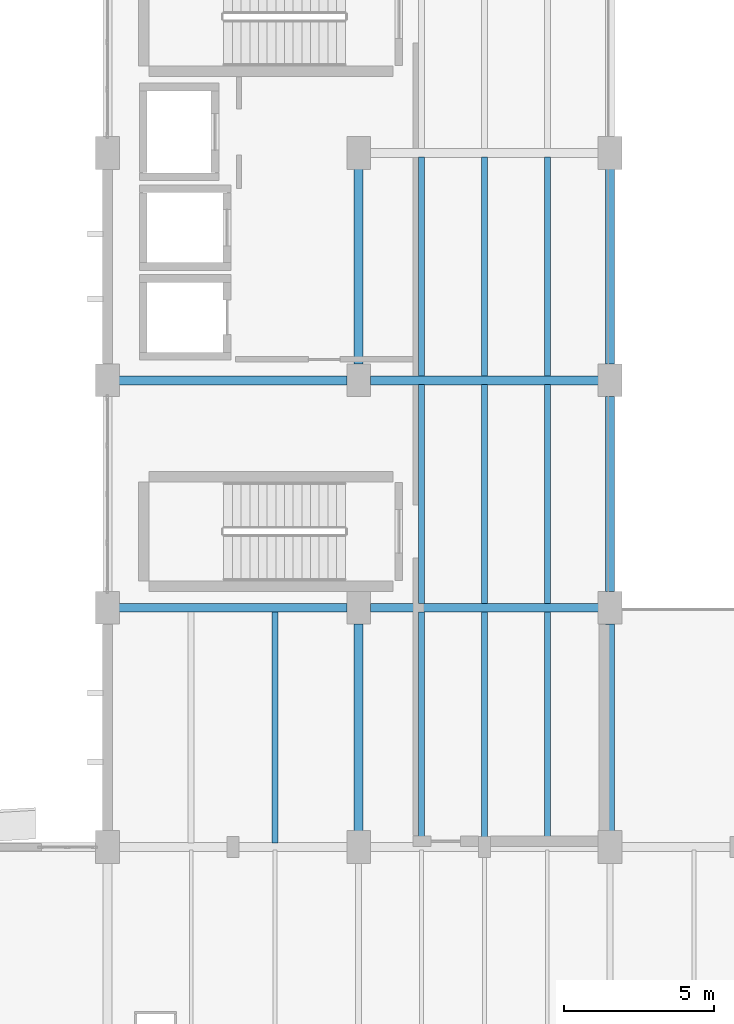
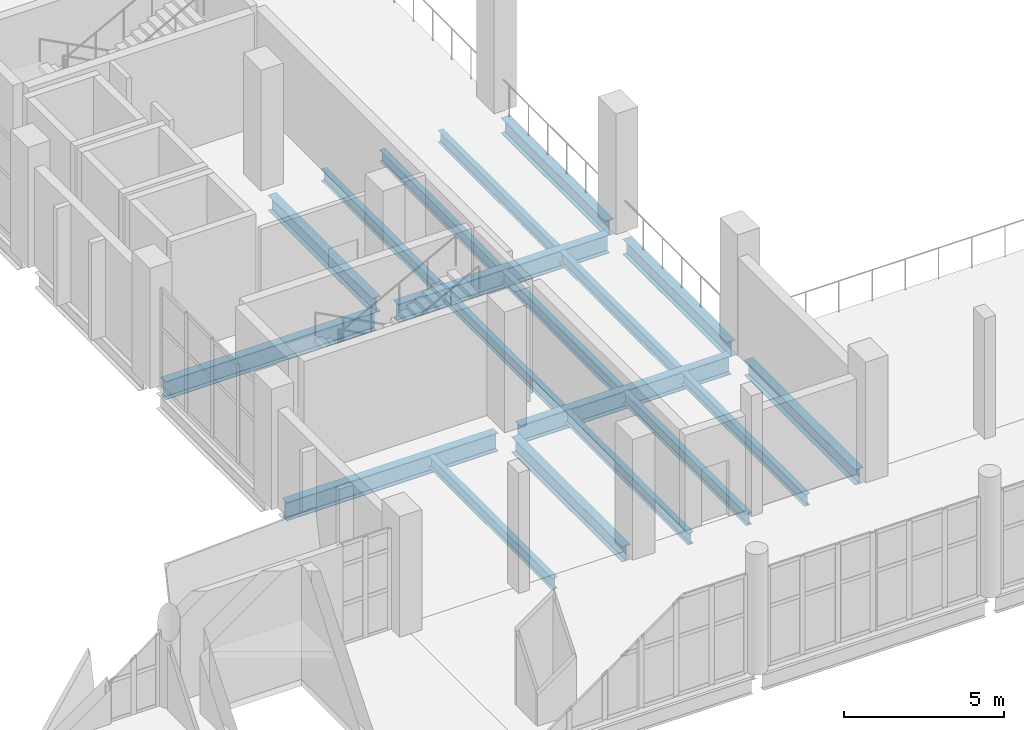
# One storey, part 48 of 136: 19 beams.
"""IFC4 building model written with IfcOpenShell, lengths in metres."""

from ifc_helpers import new_model, si_unit, direction, frame, origin, origin_2d, place, context, subcontext, project, spatial, i_section, extrude, material, material_profile, profile_set, type_object, element, save


model = new_model("IFC4")

# Units and contexts
model_context = context("Model", 3, precision=1e-05, world=origin(), true_north=direction((0.0, 1.0)))
body_context = subcontext(model_context, "Body", "Model", "MODEL_VIEW")
ifc_project = project(units=[si_unit("LENGTHUNIT", "METRE"), si_unit("AREAUNIT", "SQUARE_METRE"), si_unit("VOLUMEUNIT", "CUBIC_METRE"), si_unit("PLANEANGLEUNIT", "RADIAN"), si_unit("MASSUNIT", "GRAM", prefix="KILO")], contexts=[model_context])

# Site, building, storey
site_placement = place(None, origin())
site = spatial("IfcSite", under=ifc_project, at=site_placement, CompositionType="ELEMENT")
building_placement = place(site_placement, origin())
building = spatial("IfcBuilding", under=site, at=building_placement, Name="Shengluoqiao Park Theatre", CompositionType="ELEMENT")
storey_placement = place(building_placement, frame((0.0, 0.0, 10.0)))
storey = spatial("IfcBuildingStorey", under=building, at=storey_placement, Name="L02", CompositionType="ELEMENT", Elevation=10.0)

# Beams
ifc_material_1 = material(Name="Steel Q355", Category="steel")
ifc_material_profile_1 = material_profile(ifc_material_1, i_section(OverallWidth=0.300048828125, OverallDepth=0.587890625, WebThickness=0.011962890625, FlangeThickness=0.02001953125, FilletRadius=0.02392578125, at=origin_2d()), Name="HM 588x300x12x20")
ifc_profile_set_1 = profile_set([ifc_material_profile_1], Name="Steel Q355")
beam_type_1 = type_object("IfcBeamType", Name="STR-BM-G-HM588", PredefinedType="BEAM", material=ifc_profile_set_1)
beam_1_placement = place(storey_placement, frame((52.800048828125, 76.5439453125, -0.533935546875), z_axis=(0.0, 1.0, 0.0), x_axis=(-1.0, 0.0, 0.0)))
element("IfcBeam", 1, at=beam_1_placement, inside=storey, type_object=beam_type_1, Name="L02 Transverse Girder 00803", PredefinedType="BEAM", context=body_context, shape_type="SweptSolid", body=[
    extrude(i_section(OverallWidth=0.300048828125, OverallDepth=0.587890625, WebThickness=0.011962890625, FlangeThickness=0.02001953125, FilletRadius=0.02392578125, at=origin_2d()), origin(), (0.0, 0.0, 1.0), 6.912109375),
])
beam_2_placement = place(storey_placement, frame((52.800048828125, 92.14404296875, -0.533935546875), z_axis=(0.0, 1.0, 0.0), x_axis=(-1.0, 0.0, 0.0)))
element("IfcBeam", 2, at=beam_2_placement, inside=storey, type_object=beam_type_1, Name="L02 Transverse Girder 00804", PredefinedType="BEAM", context=body_context, shape_type="SweptSolid", body=[
    extrude(i_section(OverallWidth=0.300048828125, OverallDepth=0.587890625, WebThickness=0.011962890625, FlangeThickness=0.02001953125, FilletRadius=0.02392578125, at=origin_2d()), origin(), (0.0, 0.0, 1.0), 6.511962890625),
])
beam_3_placement = place(storey_placement, frame((61.199951171875, 76.5439453125, -0.5439453125), z_axis=(0.0, 1.0, 0.0), x_axis=(-1.0, 0.0, 0.0)))
element("IfcBeam", 3, at=beam_3_placement, inside=storey, type_object=beam_type_1, Name="L02 Transverse Girder 00806", PredefinedType="BEAM", context=body_context, shape_type="SweptSolid", body=[
    extrude(i_section(OverallWidth=0.300048828125, OverallDepth=0.587890625, WebThickness=0.011962890625, FlangeThickness=0.02001953125, FilletRadius=0.02392578125, at=origin_2d()), origin(), (0.0, 0.0, 1.0), 6.912109375),
])
for number, where, z_axis, x_axis, name in (
    (4, (61.199951171875, 84.5439453125, -0.5439453125), (0.0, 1.0, 0.0), (-1.0, 0.0, 0.0), "L02 Transverse Girder 00807"),
    (5, (61.199951171875, 92.14404296875, -0.533935546875), (0.0, 1.0, 0.0), (-1.0, 0.0, 0.0), "L02 Transverse Girder 00808"),
):
    element("IfcBeam", number, at=place(storey_placement, frame(where, z_axis=z_axis, x_axis=x_axis)), inside=storey, type_object=beam_type_1, Name=name, PredefinedType="BEAM", context=body_context, shape_type="SweptSolid", body=[
        extrude(i_section(OverallWidth=0.300048828125, OverallDepth=0.587890625, WebThickness=0.011962890625, FlangeThickness=0.02001953125, FilletRadius=0.02392578125, at=origin_2d()), origin(), (0.0, 0.0, 1.0), 6.511962890625),
    ])
ifc_material_2 = material(Name="Steel Q390", Category="steel")
ifc_material_profile_2 = material_profile(ifc_material_2, i_section(OverallWidth=0.300048828125, OverallDepth=0.699951171875, WebThickness=0.012939453125, FlangeThickness=0.02392578125, FilletRadius=0.02392578125, at=origin_2d()), Name="HN 700x300x13x24")
ifc_profile_set_2 = profile_set([ifc_material_profile_2], Name="Steel Q390")
beam_type_2 = type_object("IfcBeamType", Name="STR-BM-G-HN700", PredefinedType="BEAM", material=ifc_profile_set_2)
beam_4_placement = place(storey_placement, frame((44.7939453125, 84.0, -0.590087890625), z_axis=(1.0, 0.0, 0.0), x_axis=(0.0, 1.0, 0.0)))
element("IfcBeam", 6, at=beam_4_placement, inside=storey, type_object=beam_type_2, Name="L02 Primary Girder 00789", PredefinedType="BEAM", context=body_context, shape_type="SweptSolid", body=[
    extrude(i_section(OverallWidth=0.300048828125, OverallDepth=0.699951171875, WebThickness=0.012939453125, FlangeThickness=0.02392578125, FilletRadius=0.02392578125, at=origin_2d()), origin(), (0.0, 0.0, 1.0), 7.612060546875),
])
beam_5_placement = place(storey_placement, frame((53.194091796875, 84.0, -0.60009765625), z_axis=(1.0, 0.0, 0.0), x_axis=(0.0, 1.0, 0.0)))
element("IfcBeam", 7, at=beam_5_placement, inside=storey, type_object=beam_type_2, Name="L02 Primary Girder 00790", PredefinedType="BEAM", context=body_context, shape_type="SweptSolid", body=[
    extrude(i_section(OverallWidth=0.300048828125, OverallDepth=0.699951171875, WebThickness=0.012939453125, FlangeThickness=0.02392578125, FilletRadius=0.02392578125, at=origin_2d()), origin(), (0.0, 0.0, 1.0), 7.61181640625),
])
beam_6_placement = place(storey_placement, frame((44.7939453125, 91.60009765625, -0.590087890625), z_axis=(1.0, 0.0, 0.0), x_axis=(0.0, 1.0, 0.0)))
element("IfcBeam", 8, at=beam_6_placement, inside=storey, type_object=beam_type_2, Name="L02 Primary Girder 00791", PredefinedType="BEAM", context=body_context, shape_type="SweptSolid", body=[
    extrude(i_section(OverallWidth=0.300048828125, OverallDepth=0.699951171875, WebThickness=0.012939453125, FlangeThickness=0.02392578125, FilletRadius=0.02392578125, at=origin_2d()), origin(), (0.0, 0.0, 1.0), 7.612060546875),
])
beam_7_placement = place(storey_placement, frame((53.194091796875, 91.60009765625, -0.590087890625), z_axis=(1.0, 0.0, 0.0), x_axis=(0.0, 1.0, 0.0)))
element("IfcBeam", 9, at=beam_7_placement, inside=storey, type_object=beam_type_2, Name="L02 Primary Girder 00792", PredefinedType="BEAM", context=body_context, shape_type="SweptSolid", body=[
    extrude(i_section(OverallWidth=0.300048828125, OverallDepth=0.699951171875, WebThickness=0.012939453125, FlangeThickness=0.02392578125, FilletRadius=0.02392578125, at=origin_2d()), origin(), (0.0, 0.0, 1.0), 7.61181640625),
])
ifc_material_profile_3 = material_profile(ifc_material_1, i_section(OverallWidth=0.199951171875, OverallDepth=0.449951171875, WebThickness=0.009033203125, FlangeThickness=0.013916015625, FilletRadius=0.01611328125, at=origin_2d()), Name="HN 450x200x9x14")
ifc_profile_set_3 = profile_set([ifc_material_profile_3], Name="Steel Q355")
beam_type_3 = type_object("IfcBeamType", Name="STR-BM-J-HN450", PredefinedType="JOIST", material=ifc_profile_set_3)
for number, where, z_axis, x_axis, name in (
    (10, (50.0, 76.14501953125, -0.465087890625), (0.0, 1.0, 0.0), (-1.0, 0.0, 0.0), "L02 Composite Joist 00812"),
    (11, (54.89990234375, 76.14501953125, -0.465087890625), (0.0, 1.0, 0.0), (-1.0, 0.0, 0.0), "L02 Composite Joist 00815"),
    (12, (57.0, 76.14501953125, -0.465087890625), (0.0, 1.0, 0.0), (-1.0, 0.0, 0.0), "L02 Composite Joist 00816"),
    (13, (59.10009765625, 76.14501953125, -0.465087890625), (0.0, 1.0, 0.0), (-1.0, 0.0, 0.0), "L02 Composite Joist 00817"),
):
    element("IfcBeam", number, at=place(storey_placement, frame(where, z_axis=z_axis, x_axis=x_axis)), inside=storey, type_object=beam_type_3, Name=name, PredefinedType="JOIST", context=body_context, shape_type="SweptSolid", body=[
        extrude(i_section(OverallWidth=0.199951171875, OverallDepth=0.449951171875, WebThickness=0.009033203125, FlangeThickness=0.013916015625, FilletRadius=0.01611328125, at=origin_2d()), origin(), (0.0, 0.0, 1.0), 7.7099609375),
    ])
for number, where, z_axis, x_axis, name in (
    (14, (54.89990234375, 84.14501953125, -0.465087890625), (0.0, 1.0, 0.0), (-1.0, 0.0, 0.0), "L02 Composite Joist 00818"),
    (15, (57.0, 84.14501953125, -0.465087890625), (0.0, 1.0, 0.0), (-1.0, 0.0, 0.0), "L02 Composite Joist 00819"),
    (16, (59.10009765625, 84.14501953125, -0.465087890625), (0.0, 1.0, 0.0), (-1.0, 0.0, 0.0), "L02 Composite Joist 00820"),
):
    element("IfcBeam", number, at=place(storey_placement, frame(where, z_axis=z_axis, x_axis=x_axis)), inside=storey, type_object=beam_type_3, Name=name, PredefinedType="JOIST", context=body_context, shape_type="SweptSolid", body=[
        extrude(i_section(OverallWidth=0.199951171875, OverallDepth=0.449951171875, WebThickness=0.009033203125, FlangeThickness=0.013916015625, FilletRadius=0.01611328125, at=origin_2d()), origin(), (0.0, 0.0, 1.0), 7.31005859375),
    ])
for number, where, z_axis, x_axis, name in (
    (17, (54.89990234375, 91.7451171875, -0.465087890625), (0.0, 1.0, 0.0), (-1.0, 0.0, 0.0), "L02 Composite Joist 00821"),
    (18, (57.0, 91.7451171875, -0.465087890625), (0.0, 1.0, 0.0), (-1.0, 0.0, 0.0), "L02 Composite Joist 00822"),
    (19, (59.10009765625, 91.7451171875, -0.465087890625), (0.0, 1.0, 0.0), (-1.0, 0.0, 0.0), "L02 Composite Joist 00823"),
):
    element("IfcBeam", number, at=place(storey_placement, frame(where, z_axis=z_axis, x_axis=x_axis)), inside=storey, type_object=beam_type_3, Name=name, PredefinedType="JOIST", context=body_context, shape_type="SweptSolid", body=[
        extrude(i_section(OverallWidth=0.199951171875, OverallDepth=0.449951171875, WebThickness=0.009033203125, FlangeThickness=0.013916015625, FilletRadius=0.01611328125, at=origin_2d()), origin(), (0.0, 0.0, 1.0), 7.309814453125),
    ])

save(model, "model.ifc")
